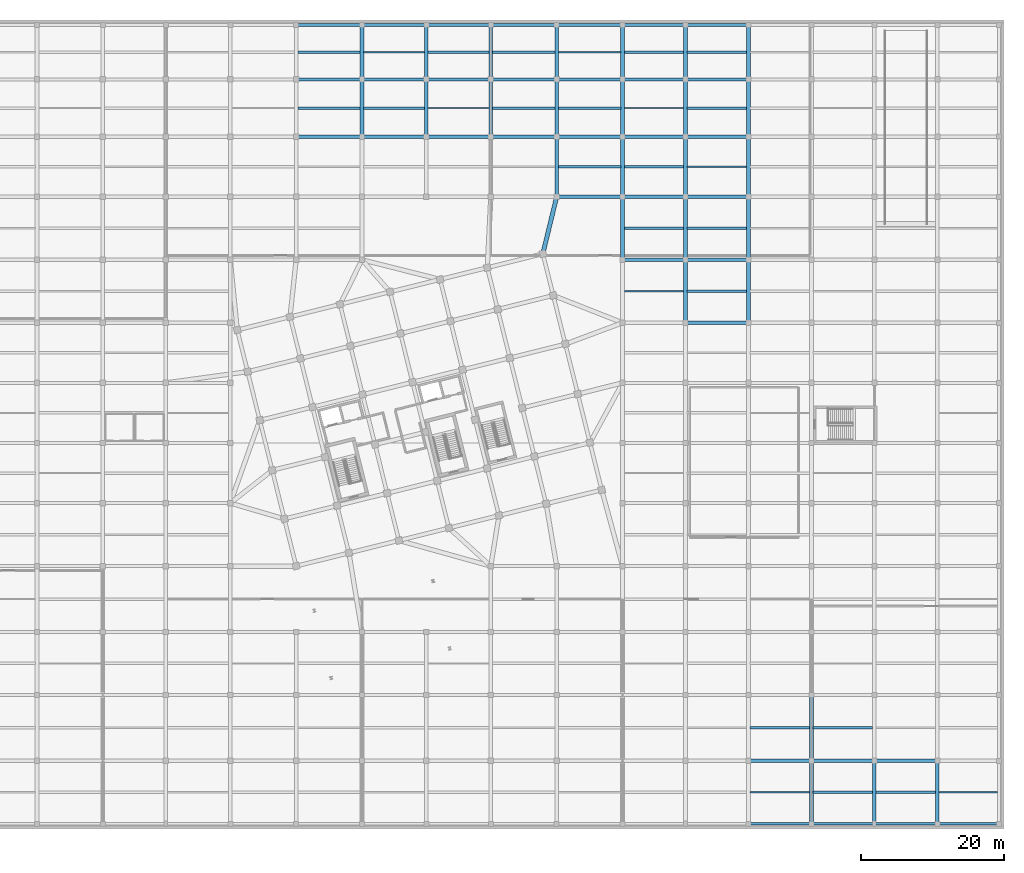
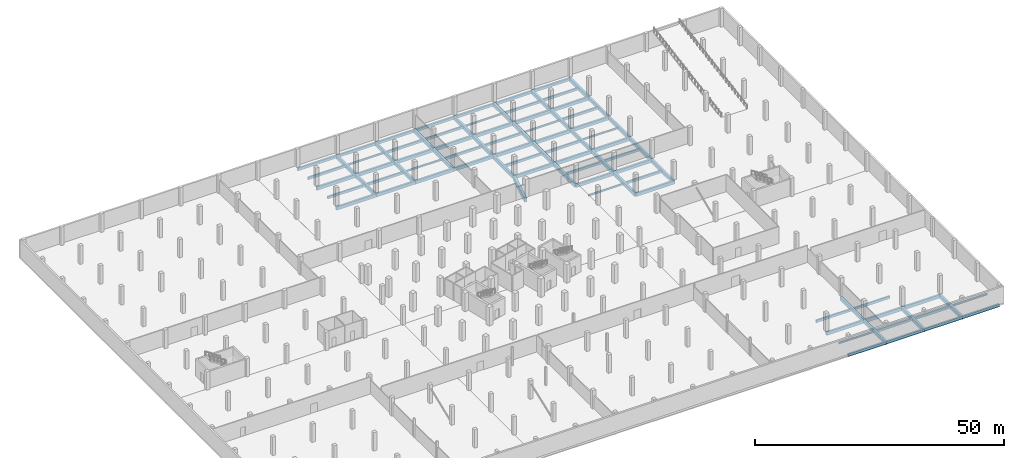
# One storey, part 14 of 31: 89 beams.
"""IFC4 building model written with IfcOpenShell, lengths in metres."""

import ifcopenshell
import ifcopenshell.guid

model = None  # the IFC model being written
_history = None  # IfcOwnerHistory: only IFC2X3 demands one
_inside = {}  # id of a spatial element -> (the spatial element, [elements in it])
_under = {}  # id of a project, library or spatial element -> (it, [spatial elements below it])
_declared = {}  # id of a project -> (the project, [libraries it declares])
_typed = {}  # id of a type object -> (the type object, [elements of that type])
_made_of = {}  # id of a material, layer set ... -> (it, [elements and type objects made of it])


def new_model(schema):
    """Start an empty IFC model of exactly this schema.

    Asked for "IFC4X3", IfcOpenShell would pick the latest addendum, in which some entities
    have other attributes; the version numbers below select the first issue.
    IFC2X3 requires an IfcOwnerHistory on every rooted entity: one is made here for all.
    """
    global model, _history
    if schema == "IFC4X3":
        model = ifcopenshell.file(schema_version=(4, 3, 0, 0))
    else:
        model = ifcopenshell.file(schema=schema)
    _inside.clear()
    _under.clear()
    _declared.clear()
    _typed.clear()
    _made_of.clear()
    _history = None
    if model.schema == "IFC2X3":
        org = make("IfcOrganization", Name="unknown")
        user = make(
            "IfcPersonAndOrganization",
            ThePerson=make("IfcPerson", FamilyName="unknown"),
            TheOrganization=org,
        )
        app = make(
            "IfcApplication",
            ApplicationDeveloper=org,
            Version="unknown",
            ApplicationFullName="unknown",
            ApplicationIdentifier="unknown",
        )
        _history = make(
            "IfcOwnerHistory",
            OwningUser=user,
            OwningApplication=app,
            ChangeAction="ADDED",
            CreationDate=0,
        )
    return model


def make(cls, **values):
    """One entity of the class cls with the attributes given. An attribute that is None is left unset."""
    return model.create_entity(
        cls, **{name: value for name, value in values.items() if value is not None}
    )


def rooted(cls, **values):
    """An entity with a GlobalId (a new one), such as an element, a storey or a relation."""
    return make(cls, GlobalId=ifcopenshell.guid.new(), OwnerHistory=_history, **values)


def si_unit(unit_type, name, prefix=None):
    """IfcSIUnit, for example si_unit("LENGTHUNIT", "METRE", prefix="MILLI")."""
    return make("IfcSIUnit", UnitType=unit_type, Prefix=prefix, Name=name)


def assignment(units):
    """IfcUnitAssignment: the units of a project."""
    return None if units is None else make("IfcUnitAssignment", Units=units)


def point(xyz):
    """IfcCartesianPoint."""
    return None if xyz is None else make("IfcCartesianPoint", Coordinates=xyz)


def direction(xyz):
    """IfcDirection."""
    return None if xyz is None else make("IfcDirection", DirectionRatios=xyz)


def frame(location, z_axis=None, x_axis=None):
    """IfcAxis2Placement3D, a coordinate frame: its origin and axes. An axis left out is left unset."""
    return make(
        "IfcAxis2Placement3D",
        Location=point(location),
        Axis=direction(z_axis),
        RefDirection=direction(x_axis),
    )


def frame_2d(location, x_axis=None):
    """IfcAxis2Placement2D, a coordinate frame in the plane: its origin and x axis."""
    return make(
        "IfcAxis2Placement2D", Location=point(location), RefDirection=direction(x_axis)
    )


def origin():
    """The frame at (0, 0, 0) with its axes left unset."""
    return frame((0.0, 0.0, 0.0))


def origin_2d():
    """The frame at (0, 0) in the plane with its x axis left unset."""
    return frame_2d((0.0, 0.0))


def place(relative_to, where):
    """IfcLocalPlacement: puts the frame where relative to a parent placement (None: the world)."""
    return make(
        "IfcLocalPlacement", PlacementRelTo=relative_to, RelativePlacement=where
    )


def context(
    kind, dimensions, precision=None, world=None, true_north=None, identifier=None
):
    """IfcGeometricRepresentationContext, for example the 3D "Model" context."""
    return make(
        "IfcGeometricRepresentationContext",
        ContextIdentifier=identifier,
        ContextType=kind,
        CoordinateSpaceDimension=dimensions,
        Precision=precision,
        WorldCoordinateSystem=world,
        TrueNorth=true_north,
    )


def subcontext(parent, identifier, kind, view, scale=None):
    """IfcGeometricRepresentationSubContext, for example "Body" below "Model"."""
    return make(
        "IfcGeometricRepresentationSubContext",
        ContextIdentifier=identifier,
        ContextType=kind,
        ParentContext=parent,
        TargetScale=scale,
        TargetView=view,
    )


def project(units=None, contexts=None):
    """IfcProject with its units and contexts."""
    return rooted(
        "IfcProject",
        Name="project",
        RepresentationContexts=contexts,
        UnitsInContext=assignment(units),
    )


def spatial(cls, under=None, at=None, **own):
    """A site, building, storey or space (cls), placed at a placement, below another one or the project."""
    s = rooted(cls, ObjectPlacement=at, **own)
    if under is not None:
        _under.setdefault(under.id(), (under, []))[1].append(s)
    return s


def profile(cls, at=None, kind="AREA", **sizes):
    """A parametric profile (cls). Its sizes go by their IFC names, for example OverallWidth=200.0."""
    return make(cls, ProfileType=kind, Position=at, **sizes)


def rectangle(**sizes):
    """IfcRectangleProfileDef."""
    return profile("IfcRectangleProfileDef", **sizes)


def i_section(**sizes):
    """IfcIShapeProfileDef."""
    return profile("IfcIShapeProfileDef", **sizes)


def extrude(swept, where, along, depth):
    """IfcExtrudedAreaSolid: the profile swept, set in the frame where, extruded along a direction by depth."""
    return make(
        "IfcExtrudedAreaSolid",
        SweptArea=swept,
        Position=where,
        ExtrudedDirection=direction(along),
        Depth=depth,
    )


def shape(context_of_items, identifier, shape_type, items):
    """IfcShapeRepresentation: the items that make up one representation, for example the "Body"."""
    return make(
        "IfcShapeRepresentation",
        ContextOfItems=context_of_items,
        RepresentationIdentifier=identifier,
        RepresentationType=shape_type,
        Items=items,
    )


def material(Name=None, Category=None):
    """IfcMaterial."""
    return make("IfcMaterial", Name=Name, Category=Category)


def material_profile(
    of_material, cross_section, Name=None, Category=None, Priority=None
):
    """IfcMaterialProfile: a cross section and its material."""
    return make(
        "IfcMaterialProfile",
        Name=Name,
        Material=of_material,
        Profile=cross_section,
        Priority=Priority,
        Category=Category,
    )


def profile_set(profiles, Name=None, composite=None):
    """IfcMaterialProfileSet."""
    return make(
        "IfcMaterialProfileSet",
        Name=Name,
        MaterialProfiles=profiles,
        CompositeProfile=composite,
    )


def made_of(thing, what):
    """Note that an element or type object is made of a material, layer set ...; save() writes the relation."""
    if what is not None:
        _made_of.setdefault(what.id(), (what, []))[1].append(thing)
    return thing


def type_object(cls, material=None, **own):
    """A type object (cls), such as IfcWallType, which elements share."""
    return made_of(rooted(cls, **own), material)


def element(
    cls,
    number,
    at=None,
    inside=None,
    cuts=None,
    type_object=None,
    material=None,
    context=None,
    identifier="Body",
    shape_type=None,
    held_by="IfcProductDefinitionShape",
    body=None,
    shapes=None,
    **own,
):
    """One element of the class cls, such as IfcWall. Its Tag is "e" and its number.

    at: its placement. inside: the storey or other place that contains it. cuts: it is an
    opening in that element (IfcRelVoidsElement). A single representation is given by context,
    identifier, shape_type and body (its items); several are given by shapes. held_by: the class
    of the entity that holds the representations. save() writes the other relations.
    """
    e = rooted(cls, Tag="e%d" % number, ObjectPlacement=at, **own)
    if body is not None:
        shapes = [shape(context, identifier, shape_type, body)]
    if shapes is not None:
        e.Representation = make(held_by, Representations=shapes)
    if inside is not None:
        _inside.setdefault(inside.id(), (inside, []))[1].append(e)
    if cuts is not None:
        rooted(
            "IfcRelVoidsElement", RelatingBuildingElement=cuts, RelatedOpeningElement=e
        )
    if type_object is not None:
        _typed.setdefault(type_object.id(), (type_object, []))[1].append(e)
    return made_of(e, material)


def aggregate(whole, parts):
    """IfcRelAggregates: a whole, such as a stair, and the parts it consists of."""
    return rooted("IfcRelAggregates", RelatingObject=whole, RelatedObjects=parts)


def save(model, path):
    """Write the relations noted so far, then the file.

    IfcRelAggregates (storeys below a building ...), IfcRelContainedInSpatialStructure (elements
    in a storey), IfcRelDefinesByType, IfcRelAssociatesMaterial and IfcRelDeclares: one each for
    every whole, place, type object, material and project.
    """
    for whole, parts in _under.values():
        aggregate(whole, parts)
    for where, things in _inside.values():
        rooted(
            "IfcRelContainedInSpatialStructure",
            RelatedElements=things,
            RelatingStructure=where,
        )
    for kind, things in _typed.values():
        rooted("IfcRelDefinesByType", RelatedObjects=things, RelatingType=kind)
    for what, things in _made_of.values():
        rooted("IfcRelAssociatesMaterial", RelatedObjects=things, RelatingMaterial=what)
    for by, libraries in _declared.values():
        rooted("IfcRelDeclares", RelatingContext=by, RelatedDefinitions=libraries)
    model.write(path)


model = new_model("IFC4")

# Units and contexts
model_context = context("Model", 3, precision=1e-05, world=origin(), true_north=direction((0.0, 1.0)))
body_context = subcontext(model_context, "Body", "Model", "MODEL_VIEW")
ifc_project = project(units=[si_unit("LENGTHUNIT", "METRE"), si_unit("AREAUNIT", "SQUARE_METRE"), si_unit("VOLUMEUNIT", "CUBIC_METRE"), si_unit("PLANEANGLEUNIT", "RADIAN"), si_unit("MASSUNIT", "GRAM", prefix="KILO")], contexts=[model_context])

# Site, building, storey
site_placement = place(None, origin())
site = spatial("IfcSite", under=ifc_project, at=site_placement, CompositionType="ELEMENT")
building_placement = place(site_placement, origin())
building = spatial("IfcBuilding", under=site, at=building_placement, Name="Meriwether Solvik Hall", CompositionType="ELEMENT")
storey_placement = place(building_placement, frame((0.0, 0.0, -4.5)))
storey = spatial("IfcBuildingStorey", under=building, at=storey_placement, Name="B01", CompositionType="ELEMENT", Elevation=-4.5)

# Beams
ifc_material_1 = material(Name="Concrete C40/50", Category="concrete")
ifc_material_profile_1 = material_profile(ifc_material_1, rectangle(XDim=0.35009765625, YDim=0.60009765625, at=origin_2d()), Name="RCB-350X600")
ifc_profile_set_1 = profile_set([ifc_material_profile_1], Name="Concrete C40/50")
beam_type_1 = type_object("IfcBeamType", Name="BM-RC-350X600", PredefinedType="JOIST", material=ifc_profile_set_1)
for number, where, z_axis, x_axis, name in (
    (1, (68.844970703125, 105.199951171875, -0.699951171875), (1.0, 0.0, 0.0), (0.0, 1.0, 0.0), "Secondary Floor Joist 8/L (B01)"),
    (2, (68.844970703125, 113.0, -0.699951171875), (1.0, 0.0, 0.0), (0.0, 1.0, 0.0), "Secondary Floor Joist 8/M (B01)"),
):
    element("IfcBeam", number, at=place(storey_placement, frame(where, z_axis=z_axis, x_axis=x_axis)), inside=storey, type_object=beam_type_1, Name=name, PredefinedType="JOIST", context=body_context, shape_type="SweptSolid", body=[
        extrude(rectangle(XDim=0.35009765625, YDim=0.60009765625, at=origin_2d()), origin(), (0.0, 0.0, 1.0), 8.7099609375),
    ])
for number, where, z_axis, x_axis, name in (
    (3, (78.044921875, 105.199951171875, -0.699951171875), (1.0, 0.0, 0.0), (0.0, 1.0, 0.0), "Secondary Floor Joist 9/L (B01)"),
    (4, (87.044921875, 113.0, -0.699951171875), (1.0, 0.0, 0.0), (0.0, 1.0, 0.0), "Secondary Floor Joist 10/M (B01)"),
):
    element("IfcBeam", number, at=place(storey_placement, frame(where, z_axis=z_axis, x_axis=x_axis)), inside=storey, type_object=beam_type_1, Name=name, PredefinedType="JOIST", context=body_context, shape_type="SweptSolid", body=[
        extrude(rectangle(XDim=0.35009765625, YDim=0.60009765625, at=origin_2d()), origin(), (0.0, 0.0, 1.0), 8.510009765625),
    ])
for number, where, z_axis, x_axis, name in (
    (5, (96.044921875, 105.199951171875, -0.699951171875), (1.0, 0.0, 0.0), (0.0, 1.0, 0.0), "Secondary Floor Joist 11/L (B01)"),
    (6, (96.044921875, 113.0, -0.699951171875), (1.0, 0.0, 0.0), (0.0, 1.0, 0.0), "Secondary Floor Joist 11/M (B01)"),
    (7, (105.2451171875, 97.0, -0.699951171875), (1.0, 0.0, 0.0), (0.0, 1.0, 0.0), "Secondary Floor Joist 12/K (B01)"),
    (8, (105.2451171875, 105.199951171875, -0.699951171875), (1.0, 0.0, 0.0), (0.0, 1.0, 0.0), "Secondary Floor Joist 12/L (B01)"),
):
    element("IfcBeam", number, at=place(storey_placement, frame(where, z_axis=z_axis, x_axis=x_axis)), inside=storey, type_object=beam_type_1, Name=name, PredefinedType="JOIST", context=body_context, shape_type="SweptSolid", body=[
        extrude(rectangle(XDim=0.35009765625, YDim=0.60009765625, at=origin_2d()), origin(), (0.0, 0.0, 1.0), 8.7099609375),
    ])
for number, where, z_axis, x_axis, name in (
    (9, (114.445068359375, 88.39990234375, -0.699951171875), (1.0, 0.0, 0.0), (0.0, 1.0, 0.0), "Secondary Floor Joist 13/J (B01)"),
    (10, (114.445068359375, 97.0, -0.699951171875), (1.0, 0.0, 0.0), (0.0, 1.0, 0.0), "Secondary Floor Joist 13/K (B01)"),
    (11, (114.445068359375, 113.0, -0.699951171875), (1.0, 0.0, 0.0), (0.0, 1.0, 0.0), "Secondary Floor Joist 13/M (B01)"),
    (12, (123.2451171875, 79.60009765625, -0.6298828125), (1.0, 0.0, 0.0), (0.0, 1.0, 0.0), "Secondary Floor Joist 14/I (B01)"),
    (13, (123.2451171875, 88.39990234375, -0.6298828125), (1.0, 0.0, 0.0), (0.0, 1.0, 0.0), "Secondary Floor Joist 14/J (B01)"),
    (14, (123.2451171875, 105.199951171875, -0.6298828125), (1.0, 0.0, 0.0), (0.0, 1.0, 0.0), "Secondary Floor Joist 14/L (B01)"),
    (15, (123.2451171875, 113.0, -0.6298828125), (1.0, 0.0, 0.0), (0.0, 1.0, 0.0), "Secondary Floor Joist 14/M (B01)"),
):
    element("IfcBeam", number, at=place(storey_placement, frame(where, z_axis=z_axis, x_axis=x_axis)), inside=storey, type_object=beam_type_1, Name=name, PredefinedType="JOIST", context=body_context, shape_type="SweptSolid", body=[
        extrude(rectangle(XDim=0.35009765625, YDim=0.60009765625, at=origin_2d()), origin(), (0.0, 0.0, 1.0), 8.309814453125),
    ])
for number, where, z_axis, x_axis, name in (
    (16, (132.044921875, 18.60009765625, -0.6298828125), (1.0, 0.0, 0.0), (0.0, 1.0, 0.0), "Secondary Floor Joist 15/B (B01)"),
    (17, (140.844970703125, 9.60009765625, -0.6298828125), (1.0, 0.0, 0.0), (0.0, 1.0, 0.0), "Secondary Floor Joist 16/A (B01)"),
    (18, (140.844970703125, 18.60009765625, -0.6298828125), (1.0, 0.0, 0.0), (0.0, 1.0, 0.0), "Secondary Floor Joist 16/B (B01)"),
    (19, (149.64501953125, 9.60009765625, -0.6298828125), (1.0, 0.0, 0.0), (0.0, 1.0, 0.0), "Secondary Floor Joist 17/A (B01)"),
):
    element("IfcBeam", number, at=place(storey_placement, frame(where, z_axis=z_axis, x_axis=x_axis)), inside=storey, type_object=beam_type_1, Name=name, PredefinedType="JOIST", context=body_context, shape_type="SweptSolid", body=[
        extrude(rectangle(XDim=0.35009765625, YDim=0.60009765625, at=origin_2d()), origin(), (0.0, 0.0, 1.0), 8.31005859375),
    ])
ifc_material_2 = material(Name="Concrete C40/50", Category="concrete")
ifc_material_profile_2 = material_profile(ifc_material_2, rectangle(XDim=0.39990234375, YDim=0.64990234375, at=origin_2d()), Name="RCB-400X650")
ifc_profile_set_2 = profile_set([ifc_material_profile_2], Name="Concrete C40/50")
beam_type_2 = type_object("IfcBeamType", Name="BM-RC-400X650", PredefinedType="SPANDREL", material=ifc_profile_set_2)
beam_1_placement = place(storey_placement, frame((131.800048828125, 5.199951171875, -0.655029296875), z_axis=(1.0, 0.0, 0.0), x_axis=(0.0, 1.0, 0.0)))
element("IfcBeam", 20, at=beam_1_placement, inside=storey, type_object=beam_type_2, Name="Podium Girder A:15-16 (B01)", PredefinedType="SPANDREL", context=body_context, shape_type="SweptSolid", body=[
    extrude(rectangle(XDim=0.39990234375, YDim=0.64990234375, at=origin_2d()), origin(), (0.0, 0.0, 1.0), 8.800048828125),
])
beam_2_placement = place(storey_placement, frame((140.60009765625, 5.199951171875, -0.655029296875), z_axis=(1.0, 0.0, 0.0), x_axis=(0.0, 1.0, 0.0)))
element("IfcBeam", 21, at=beam_2_placement, inside=storey, type_object=beam_type_2, Name="Podium Girder A:16-17 (B01)", PredefinedType="SPANDREL", context=body_context, shape_type="SweptSolid", body=[
    extrude(rectangle(XDim=0.39990234375, YDim=0.64990234375, at=origin_2d()), origin(), (0.0, 0.0, 1.0), 8.7998046875),
])
beam_3_placement = place(storey_placement, frame((149.39990234375, 5.199951171875, -0.655029296875), z_axis=(1.0, 0.0, 0.0), x_axis=(0.0, 1.0, 0.0)))
element("IfcBeam", 22, at=beam_3_placement, inside=storey, type_object=beam_type_2, Name="Podium Girder A:17-18 (B01)", PredefinedType="SPANDREL", context=body_context, shape_type="SweptSolid", body=[
    extrude(rectangle(XDim=0.39990234375, YDim=0.64990234375, at=origin_2d()), origin(), (0.0, 0.0, 1.0), 8.800048828125),
])
beam_4_placement = place(storey_placement, frame((158.199951171875, 5.199951171875, -0.655029296875), z_axis=(1.0, 0.0, 0.0), x_axis=(0.0, 1.0, 0.0)))
element("IfcBeam", 23, at=beam_4_placement, inside=storey, type_object=beam_type_2, Name="Podium Girder A:18-19 (B01)", PredefinedType="SPANDREL", context=body_context, shape_type="SweptSolid", body=[
    extrude(rectangle(XDim=0.39990234375, YDim=0.64990234375, at=origin_2d()), origin(), (0.0, 0.0, 1.0), 8.60009765625),
])
beam_5_placement = place(storey_placement, frame((68.60009765625, 116.800048828125, -0.72509765625), z_axis=(1.0, 0.0, 0.0), x_axis=(0.0, 1.0, 0.0)))
element("IfcBeam", 24, at=beam_5_placement, inside=storey, type_object=beam_type_2, Name="Podium Girder N:8-9 (B01)", PredefinedType="SPANDREL", context=body_context, shape_type="SweptSolid", body=[
    extrude(rectangle(XDim=0.39990234375, YDim=0.64990234375, at=origin_2d()), origin(), (0.0, 0.0, 1.0), 9.199951171875),
])
for number, where, z_axis, x_axis, name in (
    (25, (77.800048828125, 116.800048828125, -0.72509765625), (1.0, 0.0, 0.0), (0.0, 1.0, 0.0), "Podium Girder N:9-10 (B01)"),
    (26, (86.800048828125, 116.800048828125, -0.72509765625), (1.0, 0.0, 0.0), (0.0, 1.0, 0.0), "Podium Girder N:10-11 (B01)"),
):
    element("IfcBeam", number, at=place(storey_placement, frame(where, z_axis=z_axis, x_axis=x_axis)), inside=storey, type_object=beam_type_2, Name=name, PredefinedType="SPANDREL", context=body_context, shape_type="SweptSolid", body=[
        extrude(rectangle(XDim=0.39990234375, YDim=0.64990234375, at=origin_2d()), origin(), (0.0, 0.0, 1.0), 9.0),
    ])
for number, where, z_axis, x_axis, name in (
    (27, (95.800048828125, 116.800048828125, -0.72509765625), (1.0, 0.0, 0.0), (0.0, 1.0, 0.0), "Podium Girder N:11-12 (B01)"),
    (28, (105.0, 116.800048828125, -0.72509765625), (1.0, 0.0, 0.0), (0.0, 1.0, 0.0), "Podium Girder N:12-13 (B01)"),
):
    element("IfcBeam", number, at=place(storey_placement, frame(where, z_axis=z_axis, x_axis=x_axis)), inside=storey, type_object=beam_type_2, Name=name, PredefinedType="SPANDREL", context=body_context, shape_type="SweptSolid", body=[
        extrude(rectangle(XDim=0.39990234375, YDim=0.64990234375, at=origin_2d()), origin(), (0.0, 0.0, 1.0), 9.199951171875),
    ])
for number, where, z_axis, x_axis, name in (
    (29, (114.199951171875, 116.800048828125, -0.72509765625), (1.0, 0.0, 0.0), (0.0, 1.0, 0.0), "Podium Girder N:13-14 (B01)"),
    (30, (123.0, 116.800048828125, -0.655029296875), (1.0, 0.0, 0.0), (0.0, 1.0, 0.0), "Podium Girder N:14-15 (B01)"),
):
    element("IfcBeam", number, at=place(storey_placement, frame(where, z_axis=z_axis, x_axis=x_axis)), inside=storey, type_object=beam_type_2, Name=name, PredefinedType="SPANDREL", context=body_context, shape_type="SweptSolid", body=[
        extrude(rectangle(XDim=0.39990234375, YDim=0.64990234375, at=origin_2d()), origin(), (0.0, 0.0, 1.0), 8.800048828125),
    ])
ifc_material_3 = material(Name="Concrete C40/50", Category="concrete")
ifc_material_profile_3 = material_profile(ifc_material_3, rectangle(XDim=0.449951171875, YDim=0.800048828125, at=origin_2d()), Name="RCB-450X800")
ifc_profile_set_3 = profile_set([ifc_material_profile_3], Name="Concrete C40/50")
beam_type_3 = type_object("IfcBeamType", Name="BM-RC-450X800", PredefinedType="BEAM", material=ifc_profile_set_3)
beam_6_placement = place(storey_placement, frame((131.800048828125, 14.0, -0.72998046875), z_axis=(1.0, 0.0, 0.0), x_axis=(0.0, 1.0, 0.0)))
element("IfcBeam", 31, at=beam_6_placement, inside=storey, type_object=beam_type_3, Name="Podium Girder B:15-16 (B01)", PredefinedType="BEAM", context=body_context, shape_type="SweptSolid", body=[
    extrude(rectangle(XDim=0.449951171875, YDim=0.800048828125, at=origin_2d()), origin(), (0.0, 0.0, 1.0), 8.800048828125),
])
beam_7_placement = place(storey_placement, frame((140.60009765625, 14.0, -0.72998046875), z_axis=(1.0, 0.0, 0.0), x_axis=(0.0, 1.0, 0.0)))
element("IfcBeam", 32, at=beam_7_placement, inside=storey, type_object=beam_type_3, Name="Podium Girder B:16-17 (B01)", PredefinedType="BEAM", context=body_context, shape_type="SweptSolid", body=[
    extrude(rectangle(XDim=0.449951171875, YDim=0.800048828125, at=origin_2d()), origin(), (0.0, 0.0, 1.0), 8.7998046875),
])
for number, where, z_axis, x_axis, name in (
    (33, (149.39990234375, 14.0, -0.72998046875), (1.0, 0.0, 0.0), (0.0, 1.0, 0.0), "Podium Girder B:17-18 (B01)"),
    (34, (123.0, 75.199951171875, -0.72998046875), (1.0, 0.0, 0.0), (0.0, 1.0, 0.0), "Podium Girder I:14-15 (B01)"),
    (35, (114.199951171875, 84.0, -0.800048828125), (1.0, 0.0, 0.0), (0.0, 1.0, 0.0), "Podium Girder J:13-14 (B01)"),
    (36, (123.0, 84.0, -0.72998046875), (1.0, 0.0, 0.0), (0.0, 1.0, 0.0), "Podium Girder J:14-15 (B01)"),
):
    element("IfcBeam", number, at=place(storey_placement, frame(where, z_axis=z_axis, x_axis=x_axis)), inside=storey, type_object=beam_type_3, Name=name, PredefinedType="BEAM", context=body_context, shape_type="SweptSolid", body=[
        extrude(rectangle(XDim=0.449951171875, YDim=0.800048828125, at=origin_2d()), origin(), (0.0, 0.0, 1.0), 8.800048828125),
    ])
beam_8_placement = place(storey_placement, frame((105.0, 92.800048828125, -0.800048828125), z_axis=(1.0, 0.0, 0.0), x_axis=(0.0, 1.0, 0.0)))
element("IfcBeam", 37, at=beam_8_placement, inside=storey, type_object=beam_type_3, Name="Podium Girder K:12-13 (B01)", PredefinedType="BEAM", context=body_context, shape_type="SweptSolid", body=[
    extrude(rectangle(XDim=0.449951171875, YDim=0.800048828125, at=origin_2d()), origin(), (0.0, 0.0, 1.0), 9.199951171875),
])
for number, where, z_axis, x_axis, name in (
    (38, (114.199951171875, 92.800048828125, -0.800048828125), (1.0, 0.0, 0.0), (0.0, 1.0, 0.0), "Podium Girder K:13-14 (B01)"),
    (39, (123.0, 92.800048828125, -0.72998046875), (1.0, 0.0, 0.0), (0.0, 1.0, 0.0), "Podium Girder K:14-15 (B01)"),
):
    element("IfcBeam", number, at=place(storey_placement, frame(where, z_axis=z_axis, x_axis=x_axis)), inside=storey, type_object=beam_type_3, Name=name, PredefinedType="BEAM", context=body_context, shape_type="SweptSolid", body=[
        extrude(rectangle(XDim=0.449951171875, YDim=0.800048828125, at=origin_2d()), origin(), (0.0, 0.0, 1.0), 8.800048828125),
    ])
beam_9_placement = place(storey_placement, frame((68.60009765625, 101.199951171875, -0.800048828125), z_axis=(1.0, 0.0, 0.0), x_axis=(0.0, 1.0, 0.0)))
element("IfcBeam", 40, at=beam_9_placement, inside=storey, type_object=beam_type_3, Name="Podium Girder L:8-9 (B01)", PredefinedType="BEAM", context=body_context, shape_type="SweptSolid", body=[
    extrude(rectangle(XDim=0.449951171875, YDim=0.800048828125, at=origin_2d()), origin(), (0.0, 0.0, 1.0), 9.199951171875),
])
for number, where, z_axis, x_axis, name in (
    (41, (77.800048828125, 101.199951171875, -0.800048828125), (1.0, 0.0, 0.0), (0.0, 1.0, 0.0), "Podium Girder L:9-10 (B01)"),
    (42, (86.800048828125, 101.199951171875, -0.800048828125), (1.0, 0.0, 0.0), (0.0, 1.0, 0.0), "Podium Girder L:10-11 (B01)"),
):
    element("IfcBeam", number, at=place(storey_placement, frame(where, z_axis=z_axis, x_axis=x_axis)), inside=storey, type_object=beam_type_3, Name=name, PredefinedType="BEAM", context=body_context, shape_type="SweptSolid", body=[
        extrude(rectangle(XDim=0.449951171875, YDim=0.800048828125, at=origin_2d()), origin(), (0.0, 0.0, 1.0), 9.0),
    ])
for number, where, z_axis, x_axis, name in (
    (43, (95.800048828125, 101.199951171875, -0.800048828125), (1.0, 0.0, 0.0), (0.0, 1.0, 0.0), "Podium Girder L:11-12 (B01)"),
    (44, (105.0, 101.199951171875, -0.800048828125), (1.0, 0.0, 0.0), (0.0, 1.0, 0.0), "Podium Girder L:12-13 (B01)"),
):
    element("IfcBeam", number, at=place(storey_placement, frame(where, z_axis=z_axis, x_axis=x_axis)), inside=storey, type_object=beam_type_3, Name=name, PredefinedType="BEAM", context=body_context, shape_type="SweptSolid", body=[
        extrude(rectangle(XDim=0.449951171875, YDim=0.800048828125, at=origin_2d()), origin(), (0.0, 0.0, 1.0), 9.199951171875),
    ])
for number, where, z_axis, x_axis, name in (
    (45, (114.199951171875, 101.199951171875, -0.800048828125), (1.0, 0.0, 0.0), (0.0, 1.0, 0.0), "Podium Girder L:13-14 (B01)"),
    (46, (123.0, 101.199951171875, -0.72998046875), (1.0, 0.0, 0.0), (0.0, 1.0, 0.0), "Podium Girder L:14-15 (B01)"),
):
    element("IfcBeam", number, at=place(storey_placement, frame(where, z_axis=z_axis, x_axis=x_axis)), inside=storey, type_object=beam_type_3, Name=name, PredefinedType="BEAM", context=body_context, shape_type="SweptSolid", body=[
        extrude(rectangle(XDim=0.449951171875, YDim=0.800048828125, at=origin_2d()), origin(), (0.0, 0.0, 1.0), 8.800048828125),
    ])
beam_10_placement = place(storey_placement, frame((68.60009765625, 109.199951171875, -0.800048828125), z_axis=(1.0, 0.0, 0.0), x_axis=(0.0, 1.0, 0.0)))
element("IfcBeam", 47, at=beam_10_placement, inside=storey, type_object=beam_type_3, Name="Podium Girder M:8-9 (B01)", PredefinedType="BEAM", context=body_context, shape_type="SweptSolid", body=[
    extrude(rectangle(XDim=0.449951171875, YDim=0.800048828125, at=origin_2d()), origin(), (0.0, 0.0, 1.0), 9.199951171875),
])
for number, where, z_axis, x_axis, name in (
    (48, (77.800048828125, 109.199951171875, -0.800048828125), (1.0, 0.0, 0.0), (0.0, 1.0, 0.0), "Podium Girder M:9-10 (B01)"),
    (49, (86.800048828125, 109.199951171875, -0.800048828125), (1.0, 0.0, 0.0), (0.0, 1.0, 0.0), "Podium Girder M:10-11 (B01)"),
):
    element("IfcBeam", number, at=place(storey_placement, frame(where, z_axis=z_axis, x_axis=x_axis)), inside=storey, type_object=beam_type_3, Name=name, PredefinedType="BEAM", context=body_context, shape_type="SweptSolid", body=[
        extrude(rectangle(XDim=0.449951171875, YDim=0.800048828125, at=origin_2d()), origin(), (0.0, 0.0, 1.0), 9.0),
    ])
for number, where, z_axis, x_axis, name in (
    (50, (95.800048828125, 109.199951171875, -0.800048828125), (1.0, 0.0, 0.0), (0.0, 1.0, 0.0), "Podium Girder M:11-12 (B01)"),
    (51, (105.0, 109.199951171875, -0.800048828125), (1.0, 0.0, 0.0), (0.0, 1.0, 0.0), "Podium Girder M:12-13 (B01)"),
):
    element("IfcBeam", number, at=place(storey_placement, frame(where, z_axis=z_axis, x_axis=x_axis)), inside=storey, type_object=beam_type_3, Name=name, PredefinedType="BEAM", context=body_context, shape_type="SweptSolid", body=[
        extrude(rectangle(XDim=0.449951171875, YDim=0.800048828125, at=origin_2d()), origin(), (0.0, 0.0, 1.0), 9.199951171875),
    ])
for number, where, z_axis, x_axis, name in (
    (52, (114.199951171875, 109.199951171875, -0.800048828125), (1.0, 0.0, 0.0), (0.0, 1.0, 0.0), "Podium Girder M:13-14 (B01)"),
    (53, (123.0, 109.199951171875, -0.72998046875), (1.0, 0.0, 0.0), (0.0, 1.0, 0.0), "Podium Girder M:14-15 (B01)"),
):
    element("IfcBeam", number, at=place(storey_placement, frame(where, z_axis=z_axis, x_axis=x_axis)), inside=storey, type_object=beam_type_3, Name=name, PredefinedType="BEAM", context=body_context, shape_type="SweptSolid", body=[
        extrude(rectangle(XDim=0.449951171875, YDim=0.800048828125, at=origin_2d()), origin(), (0.0, 0.0, 1.0), 8.800048828125),
    ])
ifc_material_4 = material(Name="Concrete C40/50", Category="concrete")
ifc_material_profile_4 = material_profile(ifc_material_4, rectangle(XDim=0.5, YDim=0.85009765625, at=origin_2d()), Name="RCB-500X850")
ifc_profile_set_4 = profile_set([ifc_material_profile_4], Name="Concrete C40/50")
beam_type_4 = type_object("IfcBeamType", Name="BM-RC-500X850", PredefinedType="BEAM", material=ifc_profile_set_4)
beam_11_placement = place(storey_placement, frame((77.800048828125, 101.199951171875, -0.824951171875), z_axis=(0.0, 1.0, 0.0), x_axis=(-1.0, 0.0, 0.0)))
element("IfcBeam", 54, at=beam_11_placement, inside=storey, type_object=beam_type_4, Name="Podium Girder 9:L-M (B01)", PredefinedType="BEAM", context=body_context, shape_type="SweptSolid", body=[
    extrude(rectangle(XDim=0.5, YDim=0.85009765625, at=origin_2d()), origin(), (0.0, 0.0, 1.0), 8.0),
])
beam_12_placement = place(storey_placement, frame((77.800048828125, 109.199951171875, -0.824951171875), z_axis=(0.0, 1.0, 0.0), x_axis=(-1.0, 0.0, 0.0)))
element("IfcBeam", 55, at=beam_12_placement, inside=storey, type_object=beam_type_4, Name="Podium Girder 9:M-N (B01)", PredefinedType="BEAM", context=body_context, shape_type="SweptSolid", body=[
    extrude(rectangle(XDim=0.5, YDim=0.85009765625, at=origin_2d()), origin(), (0.0, 0.0, 1.0), 7.60009765625),
])
beam_13_placement = place(storey_placement, frame((86.800048828125, 101.199951171875, -0.824951171875), z_axis=(0.0, 1.0, 0.0), x_axis=(-1.0, 0.0, 0.0)))
element("IfcBeam", 56, at=beam_13_placement, inside=storey, type_object=beam_type_4, Name="Podium Girder 10:L-M (B01)", PredefinedType="BEAM", context=body_context, shape_type="SweptSolid", body=[
    extrude(rectangle(XDim=0.5, YDim=0.85009765625, at=origin_2d()), origin(), (0.0, 0.0, 1.0), 8.0),
])
beam_14_placement = place(storey_placement, frame((86.800048828125, 109.199951171875, -0.824951171875), z_axis=(0.0, 1.0, 0.0), x_axis=(-1.0, 0.0, 0.0)))
element("IfcBeam", 57, at=beam_14_placement, inside=storey, type_object=beam_type_4, Name="Podium Girder 10:M-N (B01)", PredefinedType="BEAM", context=body_context, shape_type="SweptSolid", body=[
    extrude(rectangle(XDim=0.5, YDim=0.85009765625, at=origin_2d()), origin(), (0.0, 0.0, 1.0), 7.60009765625),
])
beam_15_placement = place(storey_placement, frame((95.800048828125, 101.199951171875, -0.824951171875), z_axis=(0.0, 1.0, 0.0), x_axis=(-1.0, 0.0, 0.0)))
element("IfcBeam", 58, at=beam_15_placement, inside=storey, type_object=beam_type_4, Name="Podium Girder 11:L-M (B01)", PredefinedType="BEAM", context=body_context, shape_type="SweptSolid", body=[
    extrude(rectangle(XDim=0.5, YDim=0.85009765625, at=origin_2d()), origin(), (0.0, 0.0, 1.0), 8.0),
])
beam_16_placement = place(storey_placement, frame((95.800048828125, 109.199951171875, -0.824951171875), z_axis=(0.0, 1.0, 0.0), x_axis=(-1.0, 0.0, 0.0)))
element("IfcBeam", 59, at=beam_16_placement, inside=storey, type_object=beam_type_4, Name="Podium Girder 11:M-N (B01)", PredefinedType="BEAM", context=body_context, shape_type="SweptSolid", body=[
    extrude(rectangle(XDim=0.5, YDim=0.85009765625, at=origin_2d()), origin(), (0.0, 0.0, 1.0), 7.60009765625),
])
beam_17_placement = place(storey_placement, frame((105.0, 92.800048828125, -0.824951171875), z_axis=(0.0, 1.0, 0.0), x_axis=(-1.0, 0.0, 0.0)))
element("IfcBeam", 60, at=beam_17_placement, inside=storey, type_object=beam_type_4, Name="Podium Girder 12:K-L (B01)", PredefinedType="BEAM", context=body_context, shape_type="SweptSolid", body=[
    extrude(rectangle(XDim=0.5, YDim=0.85009765625, at=origin_2d()), origin(), (0.0, 0.0, 1.0), 8.39990234375),
])
beam_18_placement = place(storey_placement, frame((105.0, 101.199951171875, -0.824951171875), z_axis=(0.0, 1.0, 0.0), x_axis=(-1.0, 0.0, 0.0)))
element("IfcBeam", 61, at=beam_18_placement, inside=storey, type_object=beam_type_4, Name="Podium Girder 12:L-M (B01)", PredefinedType="BEAM", context=body_context, shape_type="SweptSolid", body=[
    extrude(rectangle(XDim=0.5, YDim=0.85009765625, at=origin_2d()), origin(), (0.0, 0.0, 1.0), 8.0),
])
beam_19_placement = place(storey_placement, frame((105.0, 109.199951171875, -0.824951171875), z_axis=(0.0, 1.0, 0.0), x_axis=(-1.0, 0.0, 0.0)))
element("IfcBeam", 62, at=beam_19_placement, inside=storey, type_object=beam_type_4, Name="Podium Girder 12:M-N (B01)", PredefinedType="BEAM", context=body_context, shape_type="SweptSolid", body=[
    extrude(rectangle(XDim=0.5, YDim=0.85009765625, at=origin_2d()), origin(), (0.0, 0.0, 1.0), 7.60009765625),
])
beam_20_placement = place(storey_placement, frame((114.199951171875, 84.0, -0.824951171875), z_axis=(0.0, 1.0, 0.0), x_axis=(-1.0, 0.0, 0.0)))
element("IfcBeam", 63, at=beam_20_placement, inside=storey, type_object=beam_type_4, Name="Podium Girder 13:J-K (B01)", PredefinedType="BEAM", context=body_context, shape_type="SweptSolid", body=[
    extrude(rectangle(XDim=0.5, YDim=0.85009765625, at=origin_2d()), origin(), (0.0, 0.0, 1.0), 8.800048828125),
])
beam_21_placement = place(storey_placement, frame((114.199951171875, 92.800048828125, -0.824951171875), z_axis=(0.0, 1.0, 0.0), x_axis=(-1.0, 0.0, 0.0)))
element("IfcBeam", 64, at=beam_21_placement, inside=storey, type_object=beam_type_4, Name="Podium Girder 13:K-L (B01)", PredefinedType="BEAM", context=body_context, shape_type="SweptSolid", body=[
    extrude(rectangle(XDim=0.5, YDim=0.85009765625, at=origin_2d()), origin(), (0.0, 0.0, 1.0), 8.39990234375),
])
beam_22_placement = place(storey_placement, frame((114.199951171875, 101.199951171875, -0.824951171875), z_axis=(0.0, 1.0, 0.0), x_axis=(-1.0, 0.0, 0.0)))
element("IfcBeam", 65, at=beam_22_placement, inside=storey, type_object=beam_type_4, Name="Podium Girder 13:L-M (B01)", PredefinedType="BEAM", context=body_context, shape_type="SweptSolid", body=[
    extrude(rectangle(XDim=0.5, YDim=0.85009765625, at=origin_2d()), origin(), (0.0, 0.0, 1.0), 8.0),
])
beam_23_placement = place(storey_placement, frame((114.199951171875, 109.199951171875, -0.824951171875), z_axis=(0.0, 1.0, 0.0), x_axis=(-1.0, 0.0, 0.0)))
element("IfcBeam", 66, at=beam_23_placement, inside=storey, type_object=beam_type_4, Name="Podium Girder 13:M-N (B01)", PredefinedType="BEAM", context=body_context, shape_type="SweptSolid", body=[
    extrude(rectangle(XDim=0.5, YDim=0.85009765625, at=origin_2d()), origin(), (0.0, 0.0, 1.0), 7.60009765625),
])
for number, where, z_axis, x_axis, name in (
    (67, (123.0, 75.199951171875, -0.7548828125), (0.0, 1.0, 0.0), (-1.0, 0.0, 0.0), "Podium Girder 14:I-J (B01)"),
    (68, (123.0, 84.0, -0.7548828125), (0.0, 1.0, 0.0), (-1.0, 0.0, 0.0), "Podium Girder 14:J-K (B01)"),
):
    element("IfcBeam", number, at=place(storey_placement, frame(where, z_axis=z_axis, x_axis=x_axis)), inside=storey, type_object=beam_type_4, Name=name, PredefinedType="BEAM", context=body_context, shape_type="SweptSolid", body=[
        extrude(rectangle(XDim=0.5, YDim=0.85009765625, at=origin_2d()), origin(), (0.0, 0.0, 1.0), 8.800048828125),
    ])
beam_24_placement = place(storey_placement, frame((123.0, 92.800048828125, -0.7548828125), z_axis=(0.0, 1.0, 0.0), x_axis=(-1.0, 0.0, 0.0)))
element("IfcBeam", 69, at=beam_24_placement, inside=storey, type_object=beam_type_4, Name="Podium Girder 14:K-L (B01)", PredefinedType="BEAM", context=body_context, shape_type="SweptSolid", body=[
    extrude(rectangle(XDim=0.5, YDim=0.85009765625, at=origin_2d()), origin(), (0.0, 0.0, 1.0), 8.39990234375),
])
beam_25_placement = place(storey_placement, frame((123.0, 101.199951171875, -0.7548828125), z_axis=(0.0, 1.0, 0.0), x_axis=(-1.0, 0.0, 0.0)))
element("IfcBeam", 70, at=beam_25_placement, inside=storey, type_object=beam_type_4, Name="Podium Girder 14:L-M (B01)", PredefinedType="BEAM", context=body_context, shape_type="SweptSolid", body=[
    extrude(rectangle(XDim=0.5, YDim=0.85009765625, at=origin_2d()), origin(), (0.0, 0.0, 1.0), 8.0),
])
beam_26_placement = place(storey_placement, frame((123.0, 109.199951171875, -0.7548828125), z_axis=(0.0, 1.0, 0.0), x_axis=(-1.0, 0.0, 0.0)))
element("IfcBeam", 71, at=beam_26_placement, inside=storey, type_object=beam_type_4, Name="Podium Girder 14:M-N (B01)", PredefinedType="BEAM", context=body_context, shape_type="SweptSolid", body=[
    extrude(rectangle(XDim=0.5, YDim=0.85009765625, at=origin_2d()), origin(), (0.0, 0.0, 1.0), 7.60009765625),
])
for number, where, z_axis, x_axis, name in (
    (72, (131.800048828125, 75.199951171875, -0.7548828125), (0.0, 1.0, 0.0), (-1.0, 0.0, 0.0), "Podium Girder 15:I-J (B01)"),
    (73, (131.800048828125, 84.0, -0.7548828125), (0.0, 1.0, 0.0), (-1.0, 0.0, 0.0), "Podium Girder 15:J-K (B01)"),
):
    element("IfcBeam", number, at=place(storey_placement, frame(where, z_axis=z_axis, x_axis=x_axis)), inside=storey, type_object=beam_type_4, Name=name, PredefinedType="BEAM", context=body_context, shape_type="SweptSolid", body=[
        extrude(rectangle(XDim=0.5, YDim=0.85009765625, at=origin_2d()), origin(), (0.0, 0.0, 1.0), 8.800048828125),
    ])
beam_27_placement = place(storey_placement, frame((131.800048828125, 92.800048828125, -0.7548828125), z_axis=(0.0, 1.0, 0.0), x_axis=(-1.0, 0.0, 0.0)))
element("IfcBeam", 74, at=beam_27_placement, inside=storey, type_object=beam_type_4, Name="Podium Girder 15:K-L (B01)", PredefinedType="BEAM", context=body_context, shape_type="SweptSolid", body=[
    extrude(rectangle(XDim=0.5, YDim=0.85009765625, at=origin_2d()), origin(), (0.0, 0.0, 1.0), 8.39990234375),
])
beam_28_placement = place(storey_placement, frame((131.800048828125, 101.199951171875, -0.7548828125), z_axis=(0.0, 1.0, 0.0), x_axis=(-1.0, 0.0, 0.0)))
element("IfcBeam", 75, at=beam_28_placement, inside=storey, type_object=beam_type_4, Name="Podium Girder 15:L-M (B01)", PredefinedType="BEAM", context=body_context, shape_type="SweptSolid", body=[
    extrude(rectangle(XDim=0.5, YDim=0.85009765625, at=origin_2d()), origin(), (0.0, 0.0, 1.0), 8.0),
])
beam_29_placement = place(storey_placement, frame((131.800048828125, 109.199951171875, -0.7548828125), z_axis=(0.0, 1.0, 0.0), x_axis=(-1.0, 0.0, 0.0)))
element("IfcBeam", 76, at=beam_29_placement, inside=storey, type_object=beam_type_4, Name="Podium Girder 15:M-N (B01)", PredefinedType="BEAM", context=body_context, shape_type="SweptSolid", body=[
    extrude(rectangle(XDim=0.5, YDim=0.85009765625, at=origin_2d()), origin(), (0.0, 0.0, 1.0), 7.60009765625),
])
beam_30_placement = place(storey_placement, frame((140.60009765625, 5.199951171875, -0.7548828125), z_axis=(0.0, 1.0, 0.0), x_axis=(-1.0, 0.0, 0.0)))
element("IfcBeam", 77, at=beam_30_placement, inside=storey, type_object=beam_type_4, Name="Podium Girder 16:A-B (B01)", PredefinedType="BEAM", context=body_context, shape_type="SweptSolid", body=[
    extrude(rectangle(XDim=0.5, YDim=0.85009765625, at=origin_2d()), origin(), (0.0, 0.0, 1.0), 8.800048828125),
])
beam_31_placement = place(storey_placement, frame((140.60009765625, 14.0, -0.7548828125), z_axis=(0.0, 1.0, 0.0), x_axis=(-1.0, 0.0, 0.0)))
element("IfcBeam", 78, at=beam_31_placement, inside=storey, type_object=beam_type_4, Name="Podium Girder 16:B-C (B01)", PredefinedType="BEAM", context=body_context, shape_type="SweptSolid", body=[
    extrude(rectangle(XDim=0.5, YDim=0.85009765625, at=origin_2d()), origin(), (0.0, 0.0, 1.0), 9.199951171875),
])
for number, where, z_axis, x_axis, name in (
    (79, (149.39990234375, 5.199951171875, -0.7548828125), (0.0, 1.0, 0.0), (-1.0, 0.0, 0.0), "Podium Girder 17:A-B (B01)"),
    (80, (158.199951171875, 5.199951171875, -0.7548828125), (0.0, 1.0, 0.0), (-1.0, 0.0, 0.0), "Podium Girder 18:A-B (B01)"),
):
    element("IfcBeam", number, at=place(storey_placement, frame(where, z_axis=z_axis, x_axis=x_axis)), inside=storey, type_object=beam_type_4, Name=name, PredefinedType="BEAM", context=body_context, shape_type="SweptSolid", body=[
        extrude(rectangle(XDim=0.5, YDim=0.85009765625, at=origin_2d()), origin(), (0.0, 0.0, 1.0), 8.800048828125),
    ])
ifc_material_5 = material(Name="Concrete C40/50", Category="concrete")
ifc_material_profile_5 = material_profile(ifc_material_5, rectangle(XDim=0.60009765625, YDim=1.050048828125, at=origin_2d()), Name="RCB-600X1050")
ifc_profile_set_5 = profile_set([ifc_material_profile_5], Name="Concrete C40/50")
beam_type_5 = type_object("IfcBeamType", Name="BM-RC-600X1050", PredefinedType="BEAM", material=ifc_profile_set_5)
beam_32_placement = place(storey_placement, frame((103.067626953125, 84.834716796875, -0.925048828125), z_axis=(0.235759443043, 0.971811445197, 0.0), x_axis=(-0.971811445197, 0.235759443043, 0.0)))
element("IfcBeam", 81, at=beam_32_placement, inside=storey, type_object=beam_type_5, Name="Diaphragm Collector Girder T7/TF-12/K (B01)", PredefinedType="BEAM", context=body_context, shape_type="SweptSolid", body=[
    extrude(rectangle(XDim=0.60009765625, YDim=1.050048828125, at=origin_2d()), origin(), (0.0, 0.0, 1.0), 8.1962890625),
])
ifc_material_6 = material(Name="Steel A992 Grade 50", Category="steel")
ifc_material_profile_6 = material_profile(ifc_material_6, i_section(OverallWidth=0.19091796875, OverallDepth=0.45703125, WebThickness=0.009033203125, FlangeThickness=0.014404296875, at=origin_2d()), Name="W18X50")
ifc_profile_set_6 = profile_set([ifc_material_profile_6], Name="Steel A992 Grade 50")
beam_type_6 = type_object("IfcBeamType", Name="BM-STL-W18X50", PredefinedType="JOIST", material=ifc_profile_set_6)
for number, where, z_axis, x_axis, name in (
    (82, (78.044921875, 113.0, -0.62841796875), (1.0, 0.0, 0.0), (0.0, 1.0, 0.0), "Secondary Floor Joist 9/M (B01)"),
    (83, (87.044921875, 105.199951171875, -0.62841796875), (1.0, 0.0, 0.0), (0.0, 1.0, 0.0), "Secondary Floor Joist 10/L (B01)"),
):
    element("IfcBeam", number, at=place(storey_placement, frame(where, z_axis=z_axis, x_axis=x_axis)), inside=storey, type_object=beam_type_6, Name=name, PredefinedType="JOIST", context=body_context, shape_type="SweptSolid", body=[
        extrude(i_section(OverallWidth=0.19091796875, OverallDepth=0.45703125, WebThickness=0.009033203125, FlangeThickness=0.014404296875, at=origin_2d()), origin(), (0.0, 0.0, 1.0), 8.510009765625),
    ])
beam_33_placement = place(storey_placement, frame((105.2451171875, 113.0, -0.62841796875), z_axis=(1.0, 0.0, 0.0), x_axis=(0.0, 1.0, 0.0)))
element("IfcBeam", 84, at=beam_33_placement, inside=storey, type_object=beam_type_6, Name="Secondary Floor Joist 12/M (B01)", PredefinedType="JOIST", context=body_context, shape_type="SweptSolid", body=[
    extrude(i_section(OverallWidth=0.19091796875, OverallDepth=0.45703125, WebThickness=0.009033203125, FlangeThickness=0.014404296875, at=origin_2d()), origin(), (0.0, 0.0, 1.0), 8.7099609375),
])
for number, where, z_axis, x_axis, name in (
    (85, (114.445068359375, 79.60009765625, -0.62841796875), (1.0, 0.0, 0.0), (0.0, 1.0, 0.0), "Secondary Floor Joist 13/I (B01)"),
    (86, (114.445068359375, 105.199951171875, -0.62841796875), (1.0, 0.0, 0.0), (0.0, 1.0, 0.0), "Secondary Floor Joist 13/L (B01)"),
    (87, (123.2451171875, 97.0, -0.55859375), (1.0, 0.0, 0.0), (0.0, 1.0, 0.0), "Secondary Floor Joist 14/K (B01)"),
):
    element("IfcBeam", number, at=place(storey_placement, frame(where, z_axis=z_axis, x_axis=x_axis)), inside=storey, type_object=beam_type_6, Name=name, PredefinedType="JOIST", context=body_context, shape_type="SweptSolid", body=[
        extrude(i_section(OverallWidth=0.19091796875, OverallDepth=0.45703125, WebThickness=0.009033203125, FlangeThickness=0.014404296875, at=origin_2d()), origin(), (0.0, 0.0, 1.0), 8.309814453125),
    ])
beam_34_placement = place(storey_placement, frame((132.044921875, 9.60009765625, -0.55859375), z_axis=(1.0, 0.0, 0.0), x_axis=(0.0, 1.0, 0.0)))
element("IfcBeam", 88, at=beam_34_placement, inside=storey, type_object=beam_type_6, Name="Secondary Floor Joist 15/A (B01)", PredefinedType="JOIST", context=body_context, shape_type="SweptSolid", body=[
    extrude(i_section(OverallWidth=0.19091796875, OverallDepth=0.45703125, WebThickness=0.009033203125, FlangeThickness=0.014404296875, at=origin_2d()), origin(), (0.0, 0.0, 1.0), 8.31005859375),
])
beam_35_placement = place(storey_placement, frame((158.445068359375, 9.60009765625, -0.55859375), z_axis=(1.0, 0.0, 0.0), x_axis=(0.0, 1.0, 0.0)))
element("IfcBeam", 89, at=beam_35_placement, inside=storey, type_object=beam_type_6, Name="Secondary Floor Joist 18/A (B01)", PredefinedType="JOIST", context=body_context, shape_type="SweptSolid", body=[
    extrude(i_section(OverallWidth=0.19091796875, OverallDepth=0.45703125, WebThickness=0.009033203125, FlangeThickness=0.014404296875, at=origin_2d()), origin(), (0.0, 0.0, 1.0), 8.159912109375),
])

save(model, "model.ifc")
